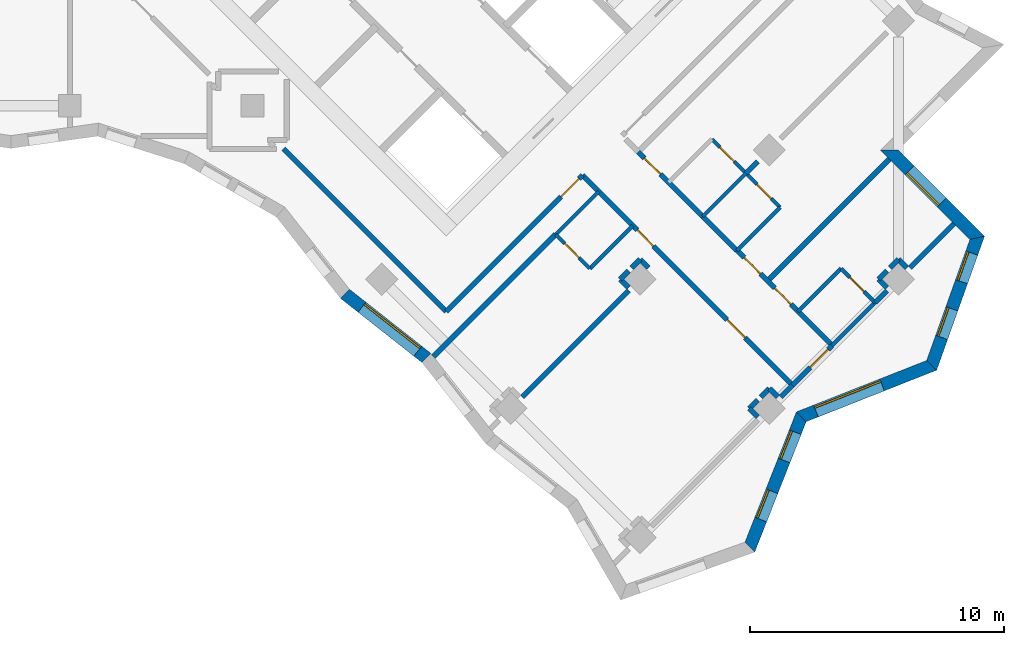
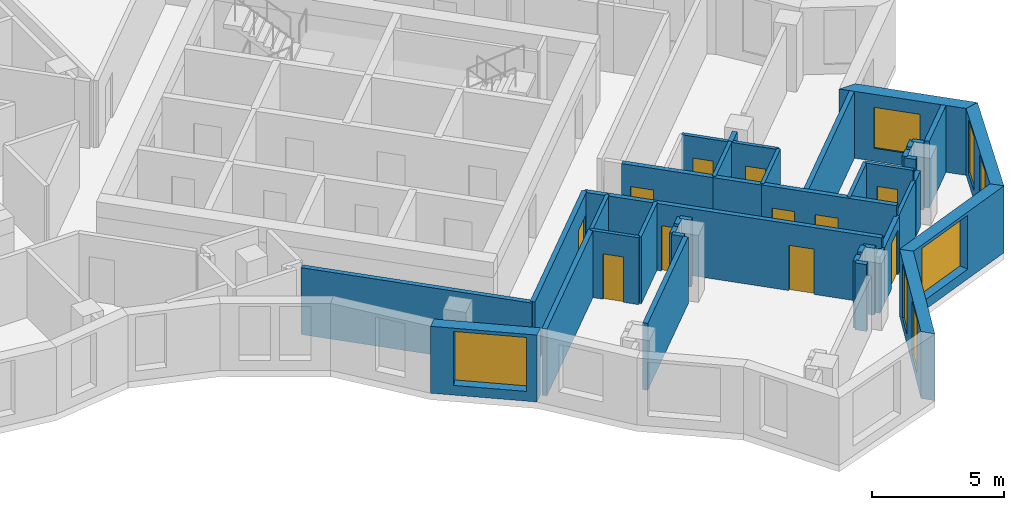
# One storey, part 8 of 12: 40 walls, 11 doors, 7 windows, 18 openings.
"""IFC4 building model written with IfcOpenShell, lengths in metres."""

from ifc_helpers import new_model, si_unit, direction, frame, frame_2d, origin, place, context, subcontext, project, spatial, polyline, rectangle, outline, extrude, material, layer, layer_set, type_object, element, fill, save


model = new_model("IFC4")

# Units and contexts
model_context = context("Model", 3, precision=1e-05, world=origin(), true_north=direction((0.0, 1.0)))
body_context = subcontext(model_context, "Body", "Model", "MODEL_VIEW")
ifc_project = project(units=[si_unit("LENGTHUNIT", "METRE"), si_unit("AREAUNIT", "SQUARE_METRE"), si_unit("VOLUMEUNIT", "CUBIC_METRE"), si_unit("PLANEANGLEUNIT", "RADIAN"), si_unit("MASSUNIT", "GRAM", prefix="KILO")], contexts=[model_context])

# Site, building, storey
site_placement = place(None, origin())
site = spatial("IfcSite", under=ifc_project, at=site_placement, CompositionType="ELEMENT")
building_placement = place(site_placement, origin())
building = spatial("IfcBuilding", under=site, at=building_placement, Name="Windrow Commons", CompositionType="ELEMENT")
storey_placement = place(building_placement, frame((0.0, 0.0, 155.8)))
storey = spatial("IfcBuildingStorey", under=building, at=storey_placement, Name="L42", CompositionType="ELEMENT", Elevation=155.8)

# Wall, openings, windows
ifc_material_1 = material(Name="Brick masonry, red clay brick", Category="masonry")
ifc_layer_1 = layer(ifc_material_1, 0.5)
ifc_layer_set_1 = layer_set([ifc_layer_1], Name="Brick facade wall 500")
wall_type_1 = type_object("IfcWallType", Name="Brick facade wall 500", PredefinedType="SOLIDWALL", material=ifc_layer_set_1)
wall_1_placement = place(storey_placement, frame((98.8, 25.8029, 0.0), z_axis=(0.0, 0.0, 1.0), x_axis=(0.3672188953, 0.930134551, 0.0)))
wall_1 = element("IfcWall", 1, at=wall_1_placement, inside=storey, type_object=wall_type_1, Name="Brick facade wall L42 2", PredefinedType="SOLIDWALL", context=body_context, shape_type="SweptSolid", body=[
    extrude(outline(polyline([(-0.1134, -0.25), (5.4139, -0.25), (5.6308, 0.25), (0.1134, 0.25), (-0.1134, -0.25)])), origin(), (0.0, 0.0, 1.0), 3.1),
])
opening_1_placement = place(wall_1_placement, frame((1.1678, 0.0, 0.45)))
opening_1 = element("IfcOpeningElement", 2, at=opening_1_placement, cuts=wall_1, Name="Opening W7E", PredefinedType="OPENING", context=body_context, shape_type="SweptSolid", body=[
    extrude(rectangle(XDim=1.2, YDim=2.5, at=frame_2d((0.6, 1.25))), frame((0.0, 0.26, 0.0), z_axis=(0.0, -1.0, 0.0), x_axis=(1.0, 0.0, 0.0)), (0.0, 0.0, 1.0), 0.52),
])
opening_2_placement = place(wall_1_placement, frame((3.6723, 0.0, 0.45)))
opening_2 = element("IfcOpeningElement", 3, at=opening_2_placement, cuts=wall_1, Name="Opening W7E", PredefinedType="OPENING", context=body_context, shape_type="SweptSolid", body=[
    extrude(rectangle(XDim=1.2, YDim=2.5, at=frame_2d((0.6, 1.25))), frame((0.0, 0.26, 0.0), z_axis=(0.0, -1.0, 0.0), x_axis=(1.0, 0.0, 0.0)), (0.0, 0.0, 1.0), 0.52),
])
ifc_material_2 = material(Name="Clear float glass in anodised aluminium frame", Category="aluminium")
window_type_1 = type_object("IfcWindowType", Name="Window W7 notch 1200x2500", PartitioningType="SINGLE_PANEL", PredefinedType="WINDOW", material=ifc_material_2)
window_1_placement = place(opening_1_placement, origin())
window_1 = element("IfcWindow", 4, at=window_1_placement, inside=storey, type_object=window_type_1, Name="Window L42 2.1", OverallHeight=2.5, OverallWidth=1.2, PartitioningType="SINGLE_PANEL", PredefinedType="WINDOW", context=body_context, shape_type="SweptSolid", body=[
    extrude(rectangle(XDim=1.2, YDim=2.5, at=frame_2d((0.6, 1.25))), frame((0.0, 0.18, 0.0), z_axis=(0.0, -1.0, 0.0), x_axis=(1.0, 0.0, 0.0)), (0.0, 0.0, 1.0), 0.06),
])
fill(opening_1, window_1)
window_2_placement = place(opening_2_placement, origin())
window_2 = element("IfcWindow", 5, at=window_2_placement, inside=storey, type_object=window_type_1, Name="Window L42 2.2", OverallHeight=2.5, OverallWidth=1.2, PartitioningType="SINGLE_PANEL", PredefinedType="WINDOW", context=body_context, shape_type="SweptSolid", body=[
    extrude(rectangle(XDim=1.2, YDim=2.5, at=frame_2d((0.6, 1.25))), frame((0.0, 0.18, 0.0), z_axis=(0.0, -1.0, 0.0), x_axis=(1.0, 0.0, 0.0)), (0.0, 0.0, 1.0), 0.06),
])
fill(opening_2, window_2)

# Wall, opening, window
wall_2_placement = place(storey_placement, frame((100.8279, 30.9394, 0.0), z_axis=(0.0, 0.0, 1.0), x_axis=(0.930134551, 0.3672188953, 0.0)))
wall_2 = element("IfcWall", 6, at=wall_2_placement, inside=storey, type_object=wall_type_1, Name="Brick facade wall L42 3", PredefinedType="SOLIDWALL", context=body_context, shape_type="SweptSolid", body=[
    extrude(outline(polyline([(0.1085, -0.25), (5.6357, -0.25), (5.409, 0.25), (-0.1085, 0.25), (0.1085, -0.25)])), origin(), (0.0, 0.0, 1.0), 3.1),
])
opening_3_placement = place(wall_2_placement, frame((0.6202, 0.0, 0.45)))
opening_3 = element("IfcOpeningElement", 7, at=opening_3_placement, cuts=wall_2, Name="Opening W1U", PredefinedType="OPENING", context=body_context, shape_type="SweptSolid", body=[
    extrude(rectangle(XDim=2.8, YDim=2.5, at=frame_2d((1.4, 1.25))), frame((0.0, 0.26, 0.0), z_axis=(0.0, -1.0, 0.0), x_axis=(1.0, 0.0, 0.0)), (0.0, 0.0, 1.0), 0.52),
])
ifc_material_3 = material(Name="Clear float glass in anodised aluminium frame", Category="aluminium")
window_type_2 = type_object("IfcWindowType", Name="Window W1U bedroom 2800x2500", PartitioningType="SINGLE_PANEL", PredefinedType="WINDOW", material=ifc_material_3)
window_3_placement = place(opening_3_placement, origin())
window_3 = element("IfcWindow", 8, at=window_3_placement, inside=storey, type_object=window_type_2, Name="Window L42 3.1", OverallHeight=2.5, OverallWidth=2.8, PartitioningType="SINGLE_PANEL", PredefinedType="WINDOW", context=body_context, shape_type="SweptSolid", body=[
    extrude(rectangle(XDim=2.8, YDim=2.5, at=frame_2d((1.4, 1.25))), frame((0.0, 0.18, 0.0), z_axis=(0.0, -1.0, 0.0), x_axis=(1.0, 0.0, 0.0)), (0.0, 0.0, 1.0), 0.06),
])
fill(opening_3, window_3)

# Wall, openings, windows
wall_3_placement = place(storey_placement, frame((105.9644, 32.9673, 0.0), z_axis=(0.0, 0.0, 1.0), x_axis=(0.3366105096, 0.9416439693, 0.0)))
wall_3 = element("IfcWall", 9, at=wall_3_placement, inside=storey, type_object=wall_type_1, Name="Brick facade wall L42 4", PredefinedType="SOLIDWALL", context=body_context, shape_type="SweptSolid", body=[
    extrude(outline(polyline([(-0.1134, -0.25), (5.4965, -0.25), (5.1799, 0.25), (0.1134, 0.25), (-0.1134, -0.25)])), origin(), (0.0, 0.0, 1.0), 3.1),
])
opening_4_placement = place(wall_3_placement, frame((1.167, 0.0, 0.45)))
opening_4 = element("IfcOpeningElement", 10, at=opening_4_placement, cuts=wall_3, Name="Opening W7E", PredefinedType="OPENING", context=body_context, shape_type="SweptSolid", body=[
    extrude(rectangle(XDim=1.2, YDim=2.5, at=frame_2d((0.6, 1.25))), frame((0.0, 0.26, 0.0), z_axis=(0.0, -1.0, 0.0), x_axis=(1.0, 0.0, 0.0)), (0.0, 0.0, 1.0), 0.52),
])
opening_5_placement = place(wall_3_placement, frame((3.5003, 0.0, 0.45)))
opening_5 = element("IfcOpeningElement", 11, at=opening_5_placement, cuts=wall_3, Name="Opening W7E", PredefinedType="OPENING", context=body_context, shape_type="SweptSolid", body=[
    extrude(rectangle(XDim=1.2, YDim=2.5, at=frame_2d((0.6, 1.25))), frame((0.0, 0.26, 0.0), z_axis=(0.0, -1.0, 0.0), x_axis=(1.0, 0.0, 0.0)), (0.0, 0.0, 1.0), 0.52),
])
window_4_placement = place(opening_4_placement, origin())
window_4 = element("IfcWindow", 12, at=window_4_placement, inside=storey, type_object=window_type_1, Name="Window L42 4.1", OverallHeight=2.5, OverallWidth=1.2, PartitioningType="SINGLE_PANEL", PredefinedType="WINDOW", context=body_context, shape_type="SweptSolid", body=[
    extrude(rectangle(XDim=1.2, YDim=2.5, at=frame_2d((0.6, 1.25))), frame((0.0, 0.18, 0.0), z_axis=(0.0, -1.0, 0.0), x_axis=(1.0, 0.0, 0.0)), (0.0, 0.0, 1.0), 0.06),
])
fill(opening_4, window_4)
window_5_placement = place(opening_5_placement, origin())
window_5 = element("IfcWindow", 13, at=window_5_placement, inside=storey, type_object=window_type_1, Name="Window L42 4.2", OverallHeight=2.5, OverallWidth=1.2, PartitioningType="SINGLE_PANEL", PredefinedType="WINDOW", context=body_context, shape_type="SweptSolid", body=[
    extrude(rectangle(XDim=1.2, YDim=2.5, at=frame_2d((0.6, 1.25))), frame((0.0, 0.18, 0.0), z_axis=(0.0, -1.0, 0.0), x_axis=(1.0, 0.0, 0.0)), (0.0, 0.0, 1.0), 0.06),
])
fill(opening_5, window_5)

# Wall, opening, window
wall_4_placement = place(storey_placement, frame((107.7613, 37.994, 0.0), z_axis=(0.0, 0.0, 1.0), x_axis=(-0.7071170022, 0.70709656, 0.0)))
wall_4 = element("IfcWall", 14, at=wall_4_placement, inside=storey, type_object=wall_type_1, Name="Brick facade wall L42 5", PredefinedType="SOLIDWALL", context=body_context, shape_type="SweptSolid", body=[
    extrude(outline(polyline([(-0.1583, -0.25), (4.6418, -0.25), (5.1418, 0.25), (0.1583, 0.25), (-0.1583, -0.25)])), origin(), (0.0, 0.0, 1.0), 3.1),
])
opening_6_placement = place(wall_4_placement, frame((1.9668, 0.0, 0.6)))
opening_6 = element("IfcOpeningElement", 15, at=opening_6_placement, cuts=wall_4, Name="Opening W1L", PredefinedType="OPENING", context=body_context, shape_type="SweptSolid", body=[
    extrude(rectangle(XDim=1.8, YDim=1.9, at=frame_2d((0.9, 0.95))), frame((0.0, 0.26, 0.0), z_axis=(0.0, -1.0, 0.0), x_axis=(1.0, 0.0, 0.0)), (0.0, 0.0, 1.0), 0.52),
])
ifc_material_4 = material(Name="Clear float glass in anodised aluminium frame", Category="aluminium")
window_type_3 = type_object("IfcWindowType", Name="Window W1L bedroom 1800x1900", PartitioningType="SINGLE_PANEL", PredefinedType="WINDOW", material=ifc_material_4)
window_6_placement = place(opening_6_placement, origin())
window_6 = element("IfcWindow", 16, at=window_6_placement, inside=storey, type_object=window_type_3, Name="Window L42 5.1", OverallHeight=1.9, OverallWidth=1.8, PartitioningType="SINGLE_PANEL", PredefinedType="WINDOW", context=body_context, shape_type="SweptSolid", body=[
    extrude(rectangle(XDim=1.8, YDim=1.9, at=frame_2d((0.9, 0.95))), frame((0.0, 0.18, 0.0), z_axis=(0.0, -1.0, 0.0), x_axis=(1.0, 0.0, 0.0)), (0.0, 0.0, 1.0), 0.06),
])
fill(opening_6, window_6)

wall_5_placement = place(storey_placement, frame((82.8436, 35.7867, 0.0), z_axis=(0.0, 0.0, 1.0), x_axis=(0.7856464341, -0.6186757476, 0.0)))
wall_5 = element("IfcWall", 17, at=wall_5_placement, inside=storey, type_object=wall_type_1, Name="Brick facade wall L42 52", PredefinedType="SOLIDWALL", context=body_context, shape_type="SweptSolid", body=[
    extrude(outline(polyline([(-0.0297, -0.25), (4.0531, -0.25), (4.1125, 0.25), (0.0297, 0.25), (-0.0297, -0.25)])), origin(), (0.0, 0.0, 1.0), 3.1),
])
opening_7_placement = place(wall_5_placement, frame((0.852, 0.0, 0.45)))
opening_7 = element("IfcOpeningElement", 18, at=opening_7_placement, cuts=wall_5, Name="Opening W1U", PredefinedType="OPENING", context=body_context, shape_type="SweptSolid", body=[
    extrude(rectangle(XDim=2.8, YDim=2.5, at=frame_2d((1.4, 1.25))), frame((0.0, 0.26, 0.0), z_axis=(0.0, -1.0, 0.0), x_axis=(1.0, 0.0, 0.0)), (0.0, 0.0, 1.0), 0.52),
])
window_7_placement = place(opening_7_placement, origin())
window_7 = element("IfcWindow", 19, at=window_7_placement, inside=storey, type_object=window_type_2, Name="Window L42 52.1", OverallHeight=2.5, OverallWidth=2.8, PartitioningType="SINGLE_PANEL", PredefinedType="WINDOW", context=body_context, shape_type="SweptSolid", body=[
    extrude(rectangle(XDim=2.8, YDim=2.5, at=frame_2d((1.4, 1.25))), frame((0.0, 0.18, 0.0), z_axis=(0.0, -1.0, 0.0), x_axis=(1.0, 0.0, 0.0)), (0.0, 0.0, 1.0), 0.06),
])
fill(opening_7, window_7)

# Wall, openings, doors
ifc_material_5 = material(Name="Blockwork partition", Category="masonry")
ifc_layer_2 = layer(ifc_material_5, 0.2)
ifc_layer_set_2 = layer_set([ifc_layer_2], Name="IW-CORRIDOR-200")
wall_type_2 = type_object("IfcWallType", Name="IW-CORRIDOR-200", PredefinedType="PARTITIONING", material=ifc_layer_set_2)
wall_6_placement = place(storey_placement, frame((92.2087, 40.4587, 0.0), z_axis=(0.0, 0.0, 1.0), x_axis=(0.7071067812, -0.7071067812, 0.0)))
wall_6 = element("IfcWall", 20, at=wall_6_placement, inside=storey, type_object=wall_type_2, Name="W-L42-W009", PredefinedType="PARTITIONING", context=body_context, shape_type="SweptSolid", body=[
    extrude(rectangle(XDim=11.6984, YDim=0.2, at=frame_2d((5.8492, 0.0))), origin(), (0.0, 0.0, 1.0), 3.1),
])
opening_8_placement = place(wall_6_placement, frame((3.0467, 0.0, 0.0)))
opening_8 = element("IfcOpeningElement", 21, at=opening_8_placement, cuts=wall_6, Name="Opening D109S", PredefinedType="OPENING", context=body_context, shape_type="SweptSolid", body=[
    extrude(rectangle(XDim=0.9, YDim=2.1, at=frame_2d((0.45, 1.05))), frame((0.0, 0.11, 0.0), z_axis=(0.0, -1.0, 0.0), x_axis=(1.0, 0.0, 0.0)), (0.0, 0.0, 1.0), 0.22),
])
opening_9_placement = place(wall_6_placement, frame((8.0559, 0.0, 0.0)))
opening_9 = element("IfcOpeningElement", 22, at=opening_9_placement, cuts=wall_6, Name="Opening D310F", PredefinedType="OPENING", context=body_context, shape_type="SweptSolid", body=[
    extrude(rectangle(XDim=1.0, YDim=2.1, at=frame_2d((0.5, 1.05))), frame((0.0, 0.11, 0.0), z_axis=(0.0, -1.0, 0.0), x_axis=(1.0, 0.0, 0.0)), (0.0, 0.0, 1.0), 0.22),
])
ifc_material_6 = material(Name="Timber door leaf", Category="wood")
door_type_1 = type_object("IfcDoorType", Name="DT-AMENITY-1000", OperationType="SINGLE_SWING_LEFT", PredefinedType="DOOR", material=ifc_material_6)
door_1_placement = place(opening_9_placement, origin())
door_1 = element("IfcDoor", 23, at=door_1_placement, inside=storey, type_object=door_type_1, Name="D-L42-D051", OperationType="SINGLE_SWING_RIGHT", OverallHeight=2.1, OverallWidth=1.0, PredefinedType="DOOR", context=body_context, shape_type="SweptSolid", body=[
    extrude(rectangle(XDim=1.0, YDim=2.1, at=frame_2d((0.5, 1.05))), frame((0.0, 0.025, 0.0), z_axis=(0.0, -1.0, 0.0), x_axis=(1.0, 0.0, 0.0)), (0.0, 0.0, 1.0), 0.05),
])
fill(opening_9, door_1)
ifc_material_7 = material(Name="Timber door leaf", Category="wood")
door_type_2 = type_object("IfcDoorType", Name="DT-BEDROOM-900", OperationType="SINGLE_SWING_LEFT", PredefinedType="DOOR", material=ifc_material_7)
door_2_placement = place(opening_8_placement, origin())
door_2 = element("IfcDoor", 24, at=door_2_placement, inside=storey, type_object=door_type_2, Name="D-L42-D047", OperationType="SINGLE_SWING_LEFT", OverallHeight=2.1, OverallWidth=0.9, PredefinedType="DOOR", context=body_context, shape_type="SweptSolid", body=[
    extrude(rectangle(XDim=0.9, YDim=2.1, at=frame_2d((0.45, 1.05))), frame((0.0, 0.025, 0.0), z_axis=(0.0, -1.0, 0.0), x_axis=(1.0, 0.0, 0.0)), (0.0, 0.0, 1.0), 0.05),
])
fill(opening_8, door_2)

# Wall
wall_7_placement = place(storey_placement, frame((80.4227, 41.4967, 0.0), z_axis=(0.0, 0.0, 1.0), x_axis=(0.7071067812, -0.7071067812, 0.0)))
element("IfcWall", 25, at=wall_7_placement, inside=storey, type_object=wall_type_2, Name="W-L42-W014", PredefinedType="PARTITIONING", context=body_context, shape_type="SweptSolid", body=[
    extrude(rectangle(XDim=9.0651, YDim=0.2, at=frame_2d((4.5325, 0.0))), origin(), (0.0, 0.0, 1.0), 3.1),
])

# Wall, opening, door
wall_8_placement = place(storey_placement, frame((86.837, 35.091, 0.0), z_axis=(0.0, 0.0, 1.0), x_axis=(0.7071067812, 0.7071067812, 0.0)))
wall_8 = element("IfcWall", 26, at=wall_8_placement, inside=storey, type_object=wall_type_2, Name="W-L42-W015", PredefinedType="PARTITIONING", context=body_context, shape_type="SweptSolid", body=[
    extrude(rectangle(XDim=7.5972, YDim=0.2, at=frame_2d((3.7986, 0.0))), origin(), (0.0, 0.0, 1.0), 3.1),
])
opening_10_placement = place(wall_8_placement, frame((6.3951, 0.0, 0.0)))
opening_10 = element("IfcOpeningElement", 27, at=opening_10_placement, cuts=wall_8, Name="Opening D310F", PredefinedType="OPENING", context=body_context, shape_type="SweptSolid", body=[
    extrude(rectangle(XDim=1.0, YDim=2.1, at=frame_2d((0.5, 1.05))), frame((0.0, 0.11, 0.0), z_axis=(0.0, -1.0, 0.0), x_axis=(1.0, 0.0, 0.0)), (0.0, 0.0, 1.0), 0.22),
])
door_3_placement = place(opening_10_placement, origin())
door_3 = element("IfcDoor", 28, at=door_3_placement, inside=storey, type_object=door_type_1, Name="D-L42-D046", OperationType="SINGLE_SWING_LEFT", OverallHeight=2.1, OverallWidth=1.0, PredefinedType="DOOR", context=body_context, shape_type="SweptSolid", body=[
    extrude(rectangle(XDim=1.0, YDim=2.1, at=frame_2d((0.5, 1.05))), frame((0.0, 0.025, 0.0), z_axis=(0.0, -1.0, 0.0), x_axis=(1.0, 0.0, 0.0)), (0.0, 0.0, 1.0), 0.05),
])
fill(opening_10, door_3)

# Wall, openings, doors
wall_9_placement = place(storey_placement, frame((98.2954, 37.4974, 0.0), z_axis=(0.0, 0.0, 1.0), x_axis=(0.7071067812, -0.7071067812, 0.0)))
wall_9 = element("IfcWall", 29, at=wall_9_placement, inside=storey, type_object=wall_type_2, Name="W-L42-W030", PredefinedType="PARTITIONING", context=body_context, shape_type="SweptSolid", body=[
    extrude(rectangle(XDim=5.3005, YDim=0.2, at=frame_2d((2.6503, 0.0))), origin(), (0.0, 0.0, 1.0), 3.1),
])
opening_11_placement = place(wall_9_placement, frame((0.4005, 0.0, 0.0)))
opening_11 = element("IfcOpeningElement", 30, at=opening_11_placement, cuts=wall_9, Name="Opening D109S", PredefinedType="OPENING", context=body_context, shape_type="SweptSolid", body=[
    extrude(rectangle(XDim=0.9, YDim=2.1, at=frame_2d((0.45, 1.05))), frame((0.0, 0.11, 0.0), z_axis=(0.0, -1.0, 0.0), x_axis=(1.0, 0.0, 0.0)), (0.0, 0.0, 1.0), 0.22),
])
opening_12_placement = place(wall_9_placement, frame((2.1005, 0.0, 0.0)))
opening_12 = element("IfcOpeningElement", 31, at=opening_12_placement, cuts=wall_9, Name="Opening D109S", PredefinedType="OPENING", context=body_context, shape_type="SweptSolid", body=[
    extrude(rectangle(XDim=0.9, YDim=2.1, at=frame_2d((0.45, 1.05))), frame((0.0, 0.11, 0.0), z_axis=(0.0, -1.0, 0.0), x_axis=(1.0, 0.0, 0.0)), (0.0, 0.0, 1.0), 0.22),
])
door_4_placement = place(opening_11_placement, origin())
door_4 = element("IfcDoor", 32, at=door_4_placement, inside=storey, type_object=door_type_2, Name="D-L42-D049", OperationType="SINGLE_SWING_LEFT", OverallHeight=2.1, OverallWidth=0.9, PredefinedType="DOOR", context=body_context, shape_type="SweptSolid", body=[
    extrude(rectangle(XDim=0.9, YDim=2.1, at=frame_2d((0.45, 1.05))), frame((0.0, 0.025, 0.0), z_axis=(0.0, -1.0, 0.0), x_axis=(1.0, 0.0, 0.0)), (0.0, 0.0, 1.0), 0.05),
])
fill(opening_11, door_4)
door_5_placement = place(opening_12_placement, origin())
door_5 = element("IfcDoor", 33, at=door_5_placement, inside=storey, type_object=door_type_2, Name="D-L42-D052", OperationType="SINGLE_SWING_RIGHT", OverallHeight=2.1, OverallWidth=0.9, PredefinedType="DOOR", context=body_context, shape_type="SweptSolid", body=[
    extrude(rectangle(XDim=0.9, YDim=2.1, at=frame_2d((0.45, 1.05))), frame((0.0, 0.025, 0.0), z_axis=(0.0, -1.0, 0.0), x_axis=(1.0, 0.0, 0.0)), (0.0, 0.0, 1.0), 0.05),
])
fill(opening_12, door_5)

# Wall, opening, door
wall_10_placement = place(storey_placement, frame((94.3993, 41.3793, 0.0), z_axis=(0.0, 0.0, 1.0), x_axis=(0.7071067812, -0.7071067812, 0.0)))
wall_10 = element("IfcWall", 34, at=wall_10_placement, inside=storey, type_object=wall_type_2, Name="W-L42-W045", PredefinedType="PARTITIONING", context=body_context, shape_type="SweptSolid", body=[
    extrude(rectangle(XDim=3.6006, YDim=0.2, at=frame_2d((1.8003, 0.0))), origin(), (0.0, 0.0, 1.0), 3.1),
])
opening_13_placement = place(wall_10_placement, frame((0.3504, 0.0, 0.0)))
opening_13 = element("IfcOpeningElement", 35, at=opening_13_placement, cuts=wall_10, Name="Opening D109S", PredefinedType="OPENING", context=body_context, shape_type="SweptSolid", body=[
    extrude(rectangle(XDim=0.9, YDim=2.1, at=frame_2d((0.45, 1.05))), frame((0.0, 0.11, 0.0), z_axis=(0.0, -1.0, 0.0), x_axis=(1.0, 0.0, 0.0)), (0.0, 0.0, 1.0), 0.22),
])
door_6_placement = place(opening_13_placement, origin())
door_6 = element("IfcDoor", 36, at=door_6_placement, inside=storey, type_object=door_type_2, Name="D-L42-D042", OperationType="SINGLE_SWING_RIGHT", OverallHeight=2.1, OverallWidth=0.9, PredefinedType="DOOR", context=body_context, shape_type="SweptSolid", body=[
    extrude(rectangle(XDim=0.9, YDim=2.1, at=frame_2d((0.45, 1.05))), frame((0.0, 0.025, 0.0), z_axis=(0.0, -1.0, 0.0), x_axis=(1.0, 0.0, 0.0)), (0.0, 0.0, 1.0), 0.05),
])
fill(opening_13, door_6)

wall_11_placement = place(storey_placement, frame((100.4832, 32.1908, 0.0), z_axis=(0.0, 0.0, 1.0), x_axis=(0.7071067812, 0.7071067812, 0.0)))
wall_11 = element("IfcWall", 37, at=wall_11_placement, inside=storey, type_object=wall_type_2, Name="W-L42-W109", PredefinedType="PARTITIONING", context=body_context, shape_type="SweptSolid", body=[
    extrude(rectangle(XDim=2.1977, YDim=0.2, at=frame_2d((1.0989, 0.0))), origin(), (0.0, 0.0, 1.0), 2.6),
])
opening_14_placement = place(wall_11_placement, frame((0.9865, 0.0, 0.0)))
opening_14 = element("IfcOpeningElement", 38, at=opening_14_placement, cuts=wall_11, Name="Opening D310F", PredefinedType="OPENING", context=body_context, shape_type="SweptSolid", body=[
    extrude(rectangle(XDim=1.0, YDim=2.1, at=frame_2d((0.5, 1.05))), frame((0.0, 0.11, 0.0), z_axis=(0.0, -1.0, 0.0), x_axis=(1.0, 0.0, 0.0)), (0.0, 0.0, 1.0), 0.22),
])
door_7_placement = place(opening_14_placement, origin())
door_7 = element("IfcDoor", 39, at=door_7_placement, inside=storey, type_object=door_type_1, Name="D-L42-D054", OperationType="SINGLE_SWING_RIGHT", OverallHeight=2.1, OverallWidth=1.0, PredefinedType="DOOR", context=body_context, shape_type="SweptSolid", body=[
    extrude(rectangle(XDim=1.0, YDim=2.1, at=frame_2d((0.5, 1.05))), frame((0.0, 0.025, 0.0), z_axis=(0.0, -1.0, 0.0), x_axis=(1.0, 0.0, 0.0)), (0.0, 0.0, 1.0), 0.05),
])
fill(opening_14, door_7)

# Wall
wall_12_placement = place(storey_placement, frame((96.9458, 38.8338, 0.0), z_axis=(0.0, 0.0, 1.0), x_axis=(0.7076330979, -0.7065800724, 0.0)))
element("IfcWall", 40, at=wall_12_placement, inside=storey, type_object=wall_type_2, Name="W-L42-W126", PredefinedType="PARTITIONING", context=body_context, shape_type="SweptSolid", body=[
    extrude(rectangle(XDim=1.8993, YDim=0.2, at=frame_2d((0.9496, 0.0))), origin(), (0.0, 0.0, 1.0), 3.1),
])

# Wall, openings, doors
ifc_material_8 = material(Name="Blockwork partition", Category="masonry")
ifc_layer_3 = layer(ifc_material_8, 0.15)
ifc_layer_set_3 = layer_set([ifc_layer_3], Name="IW-ENSUITE-150")
wall_type_3 = type_object("IfcWallType", Name="IW-ENSUITE-150", PredefinedType="PARTITIONING", material=ifc_layer_set_3)
wall_13_placement = place(storey_placement, frame((97.3054, 41.8814, 0.0), z_axis=(0.0, 0.0, 1.0), x_axis=(0.7067382634, -0.707475107, 0.0)))
wall_13 = element("IfcWall", 41, at=wall_13_placement, inside=storey, type_object=wall_type_3, Name="W-L42-W044", PredefinedType="PARTITIONING", context=body_context, shape_type="SweptSolid", body=[
    extrude(rectangle(XDim=3.8, YDim=0.15, at=frame_2d((1.9, 0.0))), origin(), (0.0, 0.0, 1.0), 3.1),
])
opening_15_placement = place(wall_13_placement, frame((0.4454, 0.0, 0.0)))
opening_15 = element("IfcOpeningElement", 42, at=opening_15_placement, cuts=wall_13, Name="Opening D208N", PredefinedType="OPENING", context=body_context, shape_type="SweptSolid", body=[
    extrude(rectangle(XDim=0.8, YDim=2.1, at=frame_2d((0.4, 1.05))), frame((0.0, 0.085, 0.0), z_axis=(0.0, -1.0, 0.0), x_axis=(1.0, 0.0, 0.0)), (0.0, 0.0, 1.0), 0.17),
])
opening_16_placement = place(wall_13_placement, frame((2.5074, 0.0, 0.0)))
opening_16 = element("IfcOpeningElement", 43, at=opening_16_placement, cuts=wall_13, Name="Opening D208N", PredefinedType="OPENING", context=body_context, shape_type="SweptSolid", body=[
    extrude(rectangle(XDim=0.8, YDim=2.1, at=frame_2d((0.4, 1.05))), frame((0.0, 0.085, 0.0), z_axis=(0.0, -1.0, 0.0), x_axis=(1.0, 0.0, 0.0)), (0.0, 0.0, 1.0), 0.17),
])
ifc_material_9 = material(Name="Timber door leaf", Category="wood")
door_type_3 = type_object("IfcDoorType", Name="DT-ENSUITE-800", OperationType="SINGLE_SWING_LEFT", PredefinedType="DOOR", material=ifc_material_9)
door_8_placement = place(opening_15_placement, origin())
door_8 = element("IfcDoor", 44, at=door_8_placement, inside=storey, type_object=door_type_3, Name="D-L42-D043", OperationType="SINGLE_SWING_RIGHT", OverallHeight=2.1, OverallWidth=0.8, PredefinedType="DOOR", context=body_context, shape_type="SweptSolid", body=[
    extrude(rectangle(XDim=0.8, YDim=2.1, at=frame_2d((0.4, 1.05))), frame((0.0, 0.025, 0.0), z_axis=(0.0, -1.0, 0.0), x_axis=(1.0, 0.0, 0.0)), (0.0, 0.0, 1.0), 0.05),
])
fill(opening_15, door_8)
door_9_placement = place(opening_16_placement, origin())
door_9 = element("IfcDoor", 45, at=door_9_placement, inside=storey, type_object=door_type_3, Name="D-L42-D050", OperationType="SINGLE_SWING_RIGHT", OverallHeight=2.1, OverallWidth=0.8, PredefinedType="DOOR", context=body_context, shape_type="SweptSolid", body=[
    extrude(rectangle(XDim=0.8, YDim=2.1, at=frame_2d((0.4, 1.05))), frame((0.0, 0.025, 0.0), z_axis=(0.0, -1.0, 0.0), x_axis=(1.0, 0.0, 0.0)), (0.0, 0.0, 1.0), 0.05),
])
fill(opening_16, door_9)

# Walls
wall_14_placement = place(storey_placement, frame((96.947, 38.837, 0.0), z_axis=(0.0, 0.0, 1.0), x_axis=(0.7071067812, 0.7071067812, 0.0)))
element("IfcWall", 46, at=wall_14_placement, inside=storey, type_object=wall_type_3, Name="W-L42-W070", PredefinedType="PARTITIONING", context=body_context, shape_type="SweptSolid", body=[
    extrude(rectangle(XDim=2.4013, YDim=0.15, at=frame_2d((1.2006, 0.0))), origin(), (0.0, 0.0, 1.0), 3.1),
])
for number, where, z_axis, x_axis, name in (
    (47, (100.6933, 35.0927, 0.0), (0.0, 0.0, 1.0), (0.7075233388, 0.706689978, 0.0), "W-L42-W097"),
    (48, (91.1522, 38.1278, 0.0), (0.0, 0.0, 1.0), (0.7075233388, 0.706689978, 0.0), "W-L42-W098"),
    (49, (92.4973, 36.7827, 0.0), (0.0, 0.0, 1.0), (0.706689978, 0.7075233388, 0.0), "W-L42-W099"),
):
    element("IfcWall", number, at=place(storey_placement, frame(where, z_axis=z_axis, x_axis=x_axis)), inside=storey, type_object=wall_type_3, Name=name, PredefinedType="PARTITIONING", context=body_context, shape_type="SweptSolid", body=[
        extrude(rectangle(XDim=2.3999, YDim=0.15, at=frame_2d((1.2, 0.0))), origin(), (0.0, 0.0, 1.0), 3.1),
    ])
wall_15_placement = place(storey_placement, frame((98.2915, 37.4945, 0.0), z_axis=(0.0, 0.0, 1.0), x_axis=(0.7071067812, 0.7071067812, 0.0)))
element("IfcWall", 50, at=wall_15_placement, inside=storey, type_object=wall_type_3, Name="W-L42-W100", PredefinedType="PARTITIONING", context=body_context, shape_type="SweptSolid", body=[
    extrude(rectangle(XDim=2.3985, YDim=0.15, at=frame_2d((1.1992, 0.0))), origin(), (0.0, 0.0, 1.0), 3.1),
])
wall_16_placement = place(storey_placement, frame((102.0392, 33.7468, 0.0), z_axis=(0.0, 0.0, 1.0), x_axis=(0.7071067812, 0.7071067812, 0.0)))
element("IfcWall", 51, at=wall_16_placement, inside=storey, type_object=wall_type_3, Name="W-L42-W101", PredefinedType="PARTITIONING", context=body_context, shape_type="SweptSolid", body=[
    extrude(rectangle(XDim=2.3985, YDim=0.15, at=frame_2d((1.1992, 0.0))), origin(), (0.0, 0.0, 1.0), 2.6),
])

# Wall, opening, door
wall_17_placement = place(storey_placement, frame((91.1466, 38.1266, 0.0), z_axis=(0.0, 0.0, 1.0), x_axis=(0.7071067812, -0.7071067812, 0.0)))
wall_17 = element("IfcWall", 52, at=wall_17_placement, inside=storey, type_object=wall_type_3, Name="W-L42-W113", PredefinedType="PARTITIONING", context=body_context, shape_type="SweptSolid", body=[
    extrude(rectangle(XDim=1.9007, YDim=0.15, at=frame_2d((0.9504, 0.0))), origin(), (0.0, 0.0, 1.0), 3.1),
])
opening_17_placement = place(wall_17_placement, frame((0.5024, 0.0, 0.0)))
opening_17 = element("IfcOpeningElement", 53, at=opening_17_placement, cuts=wall_17, Name="Opening D208N", PredefinedType="OPENING", context=body_context, shape_type="SweptSolid", body=[
    extrude(rectangle(XDim=0.8, YDim=2.1, at=frame_2d((0.4, 1.05))), frame((0.0, 0.085, 0.0), z_axis=(0.0, -1.0, 0.0), x_axis=(1.0, 0.0, 0.0)), (0.0, 0.0, 1.0), 0.17),
])
door_10_placement = place(opening_17_placement, origin())
door_10 = element("IfcDoor", 54, at=door_10_placement, inside=storey, type_object=door_type_3, Name="D-L42-D048", OperationType="SINGLE_SWING_RIGHT", OverallHeight=2.1, OverallWidth=0.8, PredefinedType="DOOR", context=body_context, shape_type="SweptSolid", body=[
    extrude(rectangle(XDim=0.8, YDim=2.1, at=frame_2d((0.4, 1.05))), frame((0.0, 0.025, 0.0), z_axis=(0.0, -1.0, 0.0), x_axis=(1.0, 0.0, 0.0)), (0.0, 0.0, 1.0), 0.05),
])
fill(opening_17, door_10)

wall_18_placement = place(storey_placement, frame((102.3943, 36.7863, 0.0), z_axis=(0.0, 0.0, 1.0), x_axis=(0.7065800724, -0.7076330979, 0.0)))
wall_18 = element("IfcWall", 55, at=wall_18_placement, inside=storey, type_object=wall_type_3, Name="W-L42-W127", PredefinedType="PARTITIONING", context=body_context, shape_type="SweptSolid", body=[
    extrude(rectangle(XDim=1.8993, YDim=0.15, at=frame_2d((0.9496, 0.0))), origin(), (0.0, 0.0, 1.0), 3.1),
])
opening_18_placement = place(wall_18_placement, frame((0.4924, 0.0, 0.0)))
opening_18 = element("IfcOpeningElement", 56, at=opening_18_placement, cuts=wall_18, Name="Opening D208N", PredefinedType="OPENING", context=body_context, shape_type="SweptSolid", body=[
    extrude(rectangle(XDim=0.8, YDim=2.1, at=frame_2d((0.4, 1.05))), frame((0.0, 0.085, 0.0), z_axis=(0.0, -1.0, 0.0), x_axis=(1.0, 0.0, 0.0)), (0.0, 0.0, 1.0), 0.17),
])
door_11_placement = place(opening_18_placement, origin())
door_11 = element("IfcDoor", 57, at=door_11_placement, inside=storey, type_object=door_type_3, Name="D-L42-D053", OperationType="SINGLE_SWING_RIGHT", OverallHeight=2.1, OverallWidth=0.8, PredefinedType="DOOR", context=body_context, shape_type="SweptSolid", body=[
    extrude(rectangle(XDim=0.8, YDim=2.1, at=frame_2d((0.4, 1.05))), frame((0.0, 0.025, 0.0), z_axis=(0.0, -1.0, 0.0), x_axis=(1.0, 0.0, 0.0)), (0.0, 0.0, 1.0), 0.05),
])
fill(opening_18, door_11)

# Walls
ifc_material_10 = material(Name="Blockwork partition", Category="masonry")
ifc_layer_4 = layer(ifc_material_10, 0.2)
ifc_layer_set_4 = layer_set([ifc_layer_4], Name="IW-PARTY-200")
wall_type_4 = type_object("IfcWallType", Name="IW-PARTY-200", PredefinedType="PARTITIONING", material=ifc_layer_set_4)
wall_19_placement = place(storey_placement, frame((86.3298, 33.311, 0.0), z_axis=(0.0, 0.0, 1.0), x_axis=(0.7071067812, 0.7071067812, 0.0)))
element("IfcWall", 58, at=wall_19_placement, inside=storey, type_object=wall_type_4, Name="W-L42-W018", PredefinedType="PARTITIONING", context=body_context, shape_type="SweptSolid", body=[
    extrude(rectangle(XDim=6.8159, YDim=0.2, at=frame_2d((3.408, 0.0))), origin(), (0.0, 0.0, 1.0), 3.1),
])
wall_20_placement = place(storey_placement, frame((99.4936, 36.2924, 0.0), z_axis=(0.0, 0.0, 1.0), x_axis=(0.7071067812, 0.7071067812, 0.0)))
element("IfcWall", 59, at=wall_20_placement, inside=storey, type_object=wall_type_4, Name="W-L42-W019", PredefinedType="PARTITIONING", context=body_context, shape_type="SweptSolid", body=[
    extrude(rectangle(XDim=6.7993, YDim=0.2, at=frame_2d((3.3996, 0.0))), origin(), (0.0, 0.0, 1.0), 3.1),
])
wall_21_placement = place(storey_placement, frame((89.831, 31.721, 0.0), z_axis=(0.0, 0.0, 1.0), x_axis=(0.7071067812, 0.7071067812, 0.0)))
element("IfcWall", 60, at=wall_21_placement, inside=storey, type_object=wall_type_4, Name="W-L42-W027", PredefinedType="PARTITIONING", context=body_context, shape_type="SweptSolid", body=[
    extrude(rectangle(XDim=5.9284, YDim=0.2, at=frame_2d((2.9642, 0.0))), origin(), (0.0, 0.0, 1.0), 3.1),
])
wall_22_placement = place(storey_placement, frame((105.1052, 36.8128, 0.0), z_axis=(0.0, 0.0, 1.0), x_axis=(0.7071067812, 0.7071067812, 0.0)))
element("IfcWall", 61, at=wall_22_placement, inside=storey, type_object=wall_type_4, Name="W-L42-W068", PredefinedType="PARTITIONING", context=body_context, shape_type="SweptSolid", body=[
    extrude(rectangle(XDim=2.4634, YDim=0.2, at=frame_2d((1.2317, 0.0))), origin(), (0.0, 0.0, 1.0), 3.1),
])
wall_23_placement = place(storey_placement, frame((98.645, 40.535, 0.0), z_axis=(0.0, 0.0, 1.0), x_axis=(0.7071067812, 0.7071067812, 0.0)))
element("IfcWall", 62, at=wall_23_placement, inside=storey, type_object=wall_type_4, Name="W-L42-W156", PredefinedType="PARTITIONING", context=body_context, shape_type="SweptSolid", body=[
    extrude(rectangle(XDim=0.6647, YDim=0.2, at=frame_2d((0.3323, 0.0))), origin(), (0.0, 0.0, 1.0), 3.1),
])
for number, where, z_axis, x_axis, name in (
    (63, (103.7352, 35.4428, 0.0), (0.0, 0.0, 1.0), (0.7071067812, 0.7071067812, 0.0), "W-L42-W157"),
    (64, (100.0132, 31.7208, 0.0), (0.0, 0.0, 1.0), (0.7071067812, 0.7071067812, 0.0), "W-L42-W158"),
):
    element("IfcWall", number, at=place(storey_placement, frame(where, z_axis=z_axis, x_axis=x_axis)), inside=storey, type_object=wall_type_4, Name=name, PredefinedType="PARTITIONING", context=body_context, shape_type="SweptSolid", body=[
        extrude(rectangle(XDim=0.6647, YDim=0.2, at=frame_2d((0.3323, 0.0))), origin(), (0.0, 0.0, 1.0), 2.6),
    ])
wall_24_placement = place(storey_placement, frame((99.5711, 32.0551, 0.0), z_axis=(0.0, 0.0, 1.0), x_axis=(0.7092270271, -0.7049801586, 0.0)))
element("IfcWall", 65, at=wall_24_placement, inside=storey, type_object=wall_type_4, Name="W-L42-W176", PredefinedType="PARTITIONING", context=body_context, shape_type="SweptSolid", body=[
    extrude(rectangle(XDim=0.4709, YDim=0.2, at=frame_2d((0.2354, 0.0))), origin(), (0.0, 0.0, 1.0), 3.1),
])
for number, where, z_axis, x_axis, name in (
    (66, (94.1451, 36.8129, 0.0), (0.0, 0.0, 1.0), (0.7071067812, 0.7071067812, 0.0), "W-L42-W177"),
    (67, (99.2353, 31.7207, 0.0), (0.0, 0.0, 1.0), (0.7071067812, 0.7071067812, 0.0), "W-L42-W179"),
    (68, (93.6911, 36.3589, 0.0), (0.0, 0.0, 1.0), (0.7071067812, 0.7071067812, 0.0), "W-L42-W183"),
    (69, (103.8733, 36.3587, 0.0), (0.0, 0.0, 1.0), (0.7071067812, 0.7071067812, 0.0), "W-L42-W184"),
    (70, (104.3273, 36.8127, 0.0), (0.0, 0.0, 1.0), (0.7071067812, 0.7071067812, 0.0), "W-L42-W185"),
):
    element("IfcWall", number, at=place(storey_placement, frame(where, z_axis=z_axis, x_axis=x_axis)), inside=storey, type_object=wall_type_4, Name=name, PredefinedType="PARTITIONING", context=body_context, shape_type="SweptSolid", body=[
        extrude(rectangle(XDim=0.4695, YDim=0.2, at=frame_2d((0.2347, 0.0))), origin(), (0.0, 0.0, 1.0), 3.1),
    ])
for number, where, z_axis, x_axis, name in (
    (71, (94.476, 37.142, 0.0), (0.0, 0.0, 1.0), (0.7049672897, -0.7092398187, 0.0), "W-L42-W186"),
    (72, (103.871, 36.3549, 0.0), (0.0, 0.0, 1.0), (0.7092398187, -0.7049672897, 0.0), "W-L42-W188"),
    (73, (104.6569, 37.1409, 0.0), (0.0, 0.0, 1.0), (0.7049672897, -0.7092398187, 0.0), "W-L42-W189"),
    (74, (93.6946, 36.3606, 0.0), (0.0, 0.0, 1.0), (0.7092398187, -0.7049672897, 0.0), "W-L42-W191"),
    (75, (98.7808, 31.2649, 0.0), (0.0, 0.0, 1.0), (0.7049672897, -0.7092398187, 0.0), "W-L42-W193"),
):
    element("IfcWall", number, at=place(storey_placement, frame(where, z_axis=z_axis, x_axis=x_axis)), inside=storey, type_object=wall_type_4, Name=name, PredefinedType="PARTITIONING", context=body_context, shape_type="SweptSolid", body=[
        extrude(rectangle(XDim=0.4681, YDim=0.2, at=frame_2d((0.2341, 0.0))), origin(), (0.0, 0.0, 1.0), 3.1),
    ])
wall_25_placement = place(storey_placement, frame((98.7833, 31.2687, 0.0), z_axis=(0.0, 0.0, 1.0), x_axis=(0.7071067812, 0.7071067812, 0.0)))
element("IfcWall", 76, at=wall_25_placement, inside=storey, type_object=wall_type_4, Name="W-L42-W195", PredefinedType="PARTITIONING", context=body_context, shape_type="SweptSolid", body=[
    extrude(rectangle(XDim=0.4667, YDim=0.2, at=frame_2d((0.2334, 0.0))), origin(), (0.0, 0.0, 1.0), 3.1),
])

save(model, "model.ifc")
